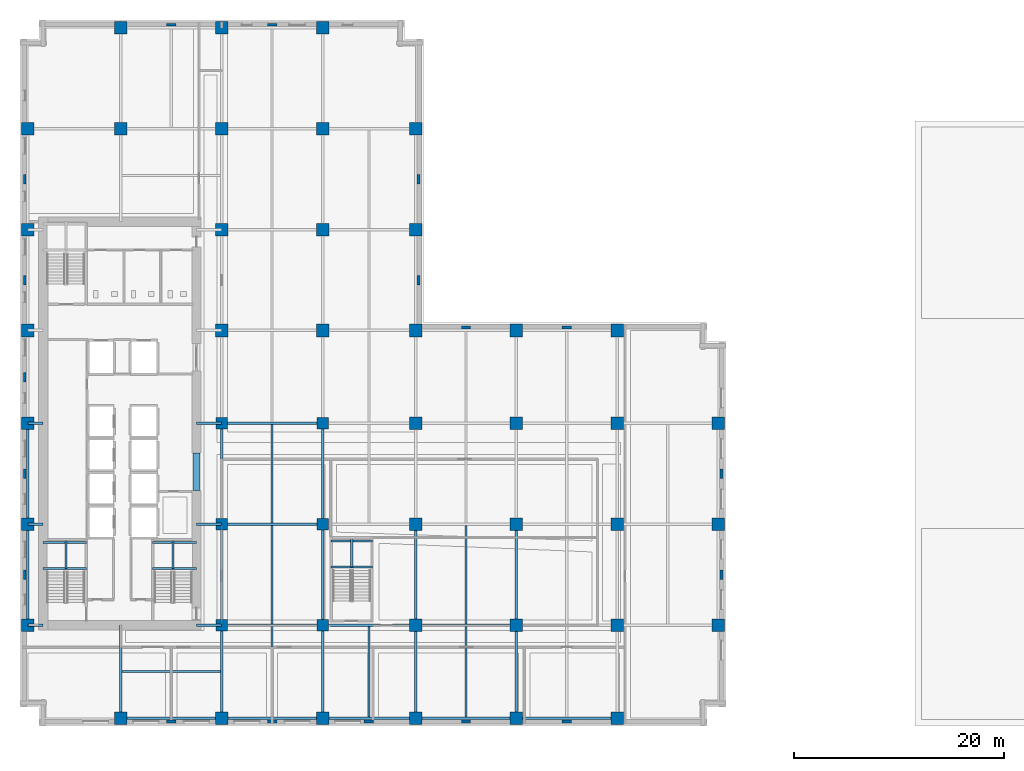
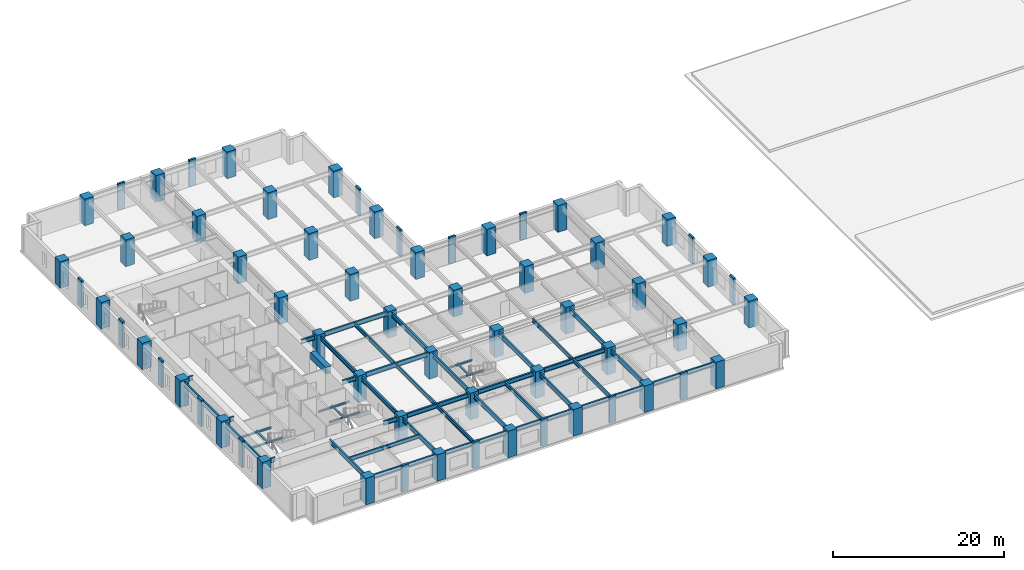
# One storey, part 1 of 14: 63 columns, 46 beams.
"""IFC4 building model written with IfcOpenShell, lengths in metres."""

from ifc_helpers import new_model, si_unit, direction, frame, origin, origin_2d, place, context, subcontext, project, spatial, rectangle, i_section, extrude, material, material_profile, profile_set, type_object, element, save


model = new_model("IFC4")

# Units and contexts
model_context = context("Model", 3, precision=1e-05, world=origin(), true_north=direction((0.0, 1.0)))
body_context = subcontext(model_context, "Body", "Model", "MODEL_VIEW")
ifc_project = project(units=[si_unit("LENGTHUNIT", "METRE"), si_unit("AREAUNIT", "SQUARE_METRE"), si_unit("VOLUMEUNIT", "CUBIC_METRE"), si_unit("PLANEANGLEUNIT", "RADIAN"), si_unit("MASSUNIT", "GRAM", prefix="KILO")], contexts=[model_context])

# Site, building, storey
site_placement = place(None, origin())
site = spatial("IfcSite", under=ifc_project, at=site_placement, CompositionType="ELEMENT")
building_placement = place(site_placement, origin())
building = spatial("IfcBuilding", under=site, at=building_placement, Name="Norrvale University Quadrangle", CompositionType="ELEMENT")
storey_placement = place(building_placement, frame((0.0, 0.0, 24.199951171875)))
storey = spatial("IfcBuildingStorey", under=building, at=storey_placement, Name="L05", CompositionType="ELEMENT", Elevation=24.199951171875)

# Columns
ifc_material_1 = material(Name="Buff Brick Concrete C60/75", Category="concrete")
ifc_material_profile_1 = material_profile(ifc_material_1, rectangle(XDim=0.89990234375, YDim=0.280029296875, at=origin_2d()), Name="Buff Brick Concrete C60/75")
ifc_profile_set_1 = profile_set([ifc_material_profile_1], Name="Buff Brick Concrete C60/75")
column_type_1 = type_object("IfcColumnType", Name="Column Buff Pier 900x280", PredefinedType="PILASTER", material=ifc_profile_set_1)
for number, where, z_axis, x_axis, name in (
    (1, (0.449951171875, 14.39990234375, 0.0), (0.0, 0.0, 1.0), (0.0, 1.0, 0.0), "Exterior Brick Facade Pilaster L05-01"),
    (2, (0.449951171875, 24.0, 0.0), (0.0, 0.0, 1.0), (0.0, 1.0, 0.0), "Exterior Brick Facade Pilaster L05-02"),
    (3, (0.449951171875, 33.199951171875, 0.0), (0.0, 0.0, 1.0), (0.0, 1.0, 0.0), "Exterior Brick Facade Pilaster L05-03"),
    (4, (0.449951171875, 42.449951171875, 0.0), (0.0, 0.0, 1.0), (0.0, 1.0, 0.0), "Exterior Brick Facade Pilaster L05-04"),
    (5, (0.449951171875, 52.050048828125, 0.0), (0.0, 0.0, 1.0), (0.0, 1.0, 0.0), "Exterior Brick Facade Pilaster L05-05"),
    (6, (14.39990234375, 0.449951171875, 0.0), (0.0, 0.0, 1.0), (1.0, 0.0, 0.0), "Exterior Brick Facade Pilaster L05-06"),
    (7, (24.0, 0.449951171875, 0.0), (0.0, 0.0, 1.0), (1.0, 0.0, 0.0), "Exterior Brick Facade Pilaster L05-07"),
    (8, (33.199951171875, 0.449951171875, 0.0), (0.0, 0.0, 1.0), (1.0, 0.0, 0.0), "Exterior Brick Facade Pilaster L05-08"),
    (9, (42.449951171875, 0.449951171875, 0.0), (0.0, 0.0, 1.0), (1.0, 0.0, 0.0), "Exterior Brick Facade Pilaster L05-09"),
    (10, (52.050048828125, 0.449951171875, 0.0), (0.0, 0.0, 1.0), (1.0, 0.0, 0.0), "Exterior Brick Facade Pilaster L05-10"),
    (11, (66.75, 14.39990234375, 0.0), (0.0, 0.0, 1.0), (0.0, 1.0, 0.0), "Exterior Brick Facade Pilaster L05-11"),
    (12, (66.75, 24.0, 0.0), (0.0, 0.0, 1.0), (0.0, 1.0, 0.0), "Exterior Brick Facade Pilaster L05-12"),
    (13, (14.39990234375, 66.75, 0.0), (0.0, 0.0, 1.0), (1.0, 0.0, 0.0), "Exterior Brick Facade Pilaster L05-13"),
    (14, (24.0, 66.75, 0.0), (0.0, 0.0, 1.0), (1.0, 0.0, 0.0), "Exterior Brick Facade Pilaster L05-14"),
    (15, (37.949951171875, 42.449951171875, 0.0), (0.0, 0.0, 1.0), (0.0, 1.0, 0.0), "Exterior Brick Facade Pilaster L05-15"),
    (16, (37.949951171875, 52.050048828125, 0.0), (0.0, 0.0, 1.0), (0.0, 1.0, 0.0), "Exterior Brick Facade Pilaster L05-16"),
    (17, (42.449951171875, 37.949951171875, 0.0), (0.0, 0.0, 1.0), (1.0, 0.0, 0.0), "Exterior Brick Facade Pilaster L05-17"),
    (18, (52.050048828125, 37.949951171875, 0.0), (0.0, 0.0, 1.0), (1.0, 0.0, 0.0), "Exterior Brick Facade Pilaster L05-18"),
):
    element("IfcColumn", number, at=place(storey_placement, frame(where, z_axis=z_axis, x_axis=x_axis)), inside=storey, type_object=column_type_1, Name=name, PredefinedType="PILASTER", context=body_context, shape_type="SweptSolid", body=[
        extrude(rectangle(XDim=0.89990234375, YDim=0.280029296875, at=origin_2d()), origin(), (0.0, 0.0, 1.0), 3.800048828125),
    ])
ifc_material_2 = material(Name="Concrete C80/95", Category="concrete")
ifc_material_profile_2 = material_profile(ifc_material_2, rectangle(XDim=1.10009765625, YDim=1.10009765625, at=origin_2d()), Name="Concrete C80/95")
ifc_profile_set_2 = profile_set([ifc_material_profile_2], Name="Concrete C80/95")
column_type_2 = type_object("IfcColumnType", Name="Column Tower Z1 1100x1100", PredefinedType="COLUMN", material=ifc_profile_set_2)
for number, where, z_axis, x_axis, name in (
    (19, (19.199951171875, 9.60009765625, 0.0), (0.0, 0.0, 1.0), (1.0, 0.0, 0.0), "Tower Column L05-T11"),
    (20, (19.199951171875, 19.199951171875, 0.0), (0.0, 0.0, 1.0), (1.0, 0.0, 0.0), "Tower Column L05-T12"),
    (21, (19.199951171875, 28.800048828125, 0.0), (0.0, 0.0, 1.0), (1.0, 0.0, 0.0), "Tower Column L05-T13"),
    (22, (28.800048828125, 9.60009765625, 0.0), (0.0, 0.0, 1.0), (1.0, 0.0, 0.0), "Tower Column L05-T19"),
    (23, (28.800048828125, 19.199951171875, 0.0), (0.0, 0.0, 1.0), (1.0, 0.0, 0.0), "Tower Column L05-T20"),
    (24, (28.800048828125, 28.800048828125, 0.0), (0.0, 0.0, 1.0), (1.0, 0.0, 0.0), "Tower Column L05-T21"),
):
    element("IfcColumn", number, at=place(storey_placement, frame(where, z_axis=z_axis, x_axis=x_axis)), inside=storey, type_object=column_type_2, Name=name, PredefinedType="COLUMN", context=body_context, shape_type="SweptSolid", body=[
        extrude(rectangle(XDim=1.10009765625, YDim=1.10009765625, at=origin_2d()), origin(), (0.0, 0.0, 1.0), 3.800048828125),
    ])
ifc_material_profile_3 = material_profile(ifc_material_2, rectangle(XDim=1.199951171875, YDim=1.199951171875, at=origin_2d()), Name="Concrete C80/95")
ifc_profile_set_3 = profile_set([ifc_material_profile_3], Name="Concrete C80/95")
column_type_3 = type_object("IfcColumnType", Name="Column Tower Z1 1200x1200", PredefinedType="COLUMN", material=ifc_profile_set_3)
for number, where, z_axis, x_axis, name in (
    (25, (0.75, 9.60009765625, 0.0), (0.0, 0.0, 1.0), (1.0, 0.0, 0.0), "Tower Column L05-T01"),
    (26, (0.75, 19.199951171875, 0.0), (0.0, 0.0, 1.0), (1.0, 0.0, 0.0), "Tower Column L05-T02"),
    (27, (0.75, 28.800048828125, 0.0), (0.0, 0.0, 1.0), (1.0, 0.0, 0.0), "Tower Column L05-T03"),
    (28, (0.75, 37.64990234375, 0.0), (0.0, 0.0, 1.0), (1.0, 0.0, 0.0), "Tower Column L05-T04"),
    (29, (0.75, 47.25, 0.0), (0.0, 0.0, 1.0), (1.0, 0.0, 0.0), "Tower Column L05-T05"),
    (30, (0.75, 56.85009765625, 0.0), (0.0, 0.0, 1.0), (1.0, 0.0, 0.0), "Tower Column L05-T06"),
    (31, (9.60009765625, 0.75, 0.0), (0.0, 0.0, 1.0), (1.0, 0.0, 0.0), "Tower Column L05-T07"),
    (32, (9.60009765625, 56.85009765625, 0.0), (0.0, 0.0, 1.0), (1.0, 0.0, 0.0), "Tower Column L05-T08"),
    (33, (9.60009765625, 66.449951171875, 0.0), (0.0, 0.0, 1.0), (1.0, 0.0, 0.0), "Tower Column L05-T09"),
    (34, (19.199951171875, 0.75, 0.0), (0.0, 0.0, 1.0), (1.0, 0.0, 0.0), "Tower Column L05-T10"),
    (35, (19.199951171875, 37.64990234375, 0.0), (0.0, 0.0, 1.0), (1.0, 0.0, 0.0), "Tower Column L05-T14"),
    (36, (19.199951171875, 47.25, 0.0), (0.0, 0.0, 1.0), (1.0, 0.0, 0.0), "Tower Column L05-T15"),
    (37, (19.199951171875, 56.85009765625, 0.0), (0.0, 0.0, 1.0), (1.0, 0.0, 0.0), "Tower Column L05-T16"),
    (38, (19.199951171875, 66.449951171875, 0.0), (0.0, 0.0, 1.0), (1.0, 0.0, 0.0), "Tower Column L05-T17"),
    (39, (28.800048828125, 0.75, 0.0), (0.0, 0.0, 1.0), (1.0, 0.0, 0.0), "Tower Column L05-T18"),
    (40, (28.800048828125, 37.64990234375, 0.0), (0.0, 0.0, 1.0), (1.0, 0.0, 0.0), "Tower Column L05-T22"),
    (41, (28.800048828125, 47.25, 0.0), (0.0, 0.0, 1.0), (1.0, 0.0, 0.0), "Tower Column L05-T23"),
    (42, (28.800048828125, 56.85009765625, 0.0), (0.0, 0.0, 1.0), (1.0, 0.0, 0.0), "Tower Column L05-T24"),
    (43, (28.800048828125, 66.449951171875, 0.0), (0.0, 0.0, 1.0), (1.0, 0.0, 0.0), "Tower Column L05-T25"),
    (44, (37.64990234375, 0.75, 0.0), (0.0, 0.0, 1.0), (1.0, 0.0, 0.0), "Tower Column L05-T26"),
    (45, (37.64990234375, 9.60009765625, 0.0), (0.0, 0.0, 1.0), (1.0, 0.0, 0.0), "Tower Column L05-T27"),
    (46, (37.64990234375, 19.199951171875, 0.0), (0.0, 0.0, 1.0), (1.0, 0.0, 0.0), "Tower Column L05-T28"),
    (47, (37.64990234375, 28.800048828125, 0.0), (0.0, 0.0, 1.0), (1.0, 0.0, 0.0), "Tower Column L05-T29"),
    (48, (37.64990234375, 37.64990234375, 0.0), (0.0, 0.0, 1.0), (1.0, 0.0, 0.0), "Tower Column L05-T30"),
    (49, (37.64990234375, 47.25, 0.0), (0.0, 0.0, 1.0), (1.0, 0.0, 0.0), "Tower Column L05-T31"),
    (50, (37.64990234375, 56.85009765625, 0.0), (0.0, 0.0, 1.0), (1.0, 0.0, 0.0), "Tower Column L05-T32"),
    (51, (47.25, 0.75, 0.0), (0.0, 0.0, 1.0), (1.0, 0.0, 0.0), "Tower Column L05-T33"),
    (52, (47.25, 9.60009765625, 0.0), (0.0, 0.0, 1.0), (1.0, 0.0, 0.0), "Tower Column L05-T34"),
    (53, (47.25, 19.199951171875, 0.0), (0.0, 0.0, 1.0), (1.0, 0.0, 0.0), "Tower Column L05-T35"),
    (54, (47.25, 28.800048828125, 0.0), (0.0, 0.0, 1.0), (1.0, 0.0, 0.0), "Tower Column L05-T36"),
    (55, (47.25, 37.64990234375, 0.0), (0.0, 0.0, 1.0), (1.0, 0.0, 0.0), "Tower Column L05-T37"),
    (56, (56.85009765625, 0.75, 0.0), (0.0, 0.0, 1.0), (1.0, 0.0, 0.0), "Tower Column L05-T38"),
    (57, (56.85009765625, 9.60009765625, 0.0), (0.0, 0.0, 1.0), (1.0, 0.0, 0.0), "Tower Column L05-T39"),
    (58, (56.85009765625, 19.199951171875, 0.0), (0.0, 0.0, 1.0), (1.0, 0.0, 0.0), "Tower Column L05-T40"),
    (59, (56.85009765625, 28.800048828125, 0.0), (0.0, 0.0, 1.0), (1.0, 0.0, 0.0), "Tower Column L05-T41"),
    (60, (56.85009765625, 37.64990234375, 0.0), (0.0, 0.0, 1.0), (1.0, 0.0, 0.0), "Tower Column L05-T42"),
    (61, (66.449951171875, 9.60009765625, 0.0), (0.0, 0.0, 1.0), (1.0, 0.0, 0.0), "Tower Column L05-T43"),
    (62, (66.449951171875, 19.199951171875, 0.0), (0.0, 0.0, 1.0), (1.0, 0.0, 0.0), "Tower Column L05-T44"),
    (63, (66.449951171875, 28.800048828125, 0.0), (0.0, 0.0, 1.0), (1.0, 0.0, 0.0), "Tower Column L05-T45"),
):
    element("IfcColumn", number, at=place(storey_placement, frame(where, z_axis=z_axis, x_axis=x_axis)), inside=storey, type_object=column_type_3, Name=name, PredefinedType="COLUMN", context=body_context, shape_type="SweptSolid", body=[
        extrude(rectangle(XDim=1.199951171875, YDim=1.199951171875, at=origin_2d()), origin(), (0.0, 0.0, 1.0), 3.800048828125),
    ])

# Beams
ifc_material_profile_4 = material_profile(ifc_material_2, rectangle(XDim=0.699951171875, YDim=0.949951171875, at=origin_2d()), Name="Concrete C80/95")
ifc_profile_set_4 = profile_set([ifc_material_profile_4], Name="Concrete C80/95")
beam_type_1 = type_object("IfcBeamType", Name="Beam Core Link 700x950", PredefinedType="LINTEL", material=ifc_profile_set_4)
beam_1_placement = place(storey_placement, frame((16.800048828125, 22.39990234375, 3.06494140625), z_axis=(0.0, 1.0, 0.0), x_axis=(-1.0, 0.0, 0.0)))
element("IfcBeam", 64, at=beam_1_placement, inside=storey, type_object=beam_type_1, Name="Core Coupling Lintel Beam L05-1", PredefinedType="LINTEL", context=body_context, shape_type="SweptSolid", body=[
    extrude(rectangle(XDim=0.699951171875, YDim=0.949951171875, at=origin_2d()), origin(), (0.0, 0.0, 1.0), 3.60009765625),
])
ifc_material_3 = material(Name="Steel 350W", Category="steel")
ifc_material_profile_5 = material_profile(ifc_material_3, i_section(OverallWidth=0.208984375, OverallDepth=0.532958984375, WebThickness=0.01025390625, FlangeThickness=0.015625, FilletRadius=0.013916015625, at=origin_2d()), Name="Steel 350W")
ifc_profile_set_5 = profile_set([ifc_material_profile_5], Name="Steel 350W")
beam_type_2 = type_object("IfcBeamType", Name="Beam Floor W530x92", PredefinedType="JOIST", material=ifc_profile_set_5)
beam_2_placement = place(storey_placement, frame((24.0, 0.864990234375, 3.2734375), z_axis=(0.0, 1.0, 0.0), x_axis=(-1.0, 0.0, 0.0)))
element("IfcBeam", 65, at=beam_2_placement, inside=storey, type_object=beam_type_2, Name="Beam Floor W530x92 BM-L05-J080", PredefinedType="JOIST", context=body_context, shape_type="SweptSolid", body=[
    extrude(i_section(OverallWidth=0.208984375, OverallDepth=0.532958984375, WebThickness=0.01025390625, FlangeThickness=0.015625, FilletRadius=0.013916015625, at=origin_2d()), origin(), (0.0, 0.0, 1.0), 8.6201171875),
])
beam_3_placement = place(storey_placement, frame((24.0, 9.715087890625, 3.2734375), z_axis=(0.0, 1.0, 0.0), x_axis=(-1.0, 0.0, 0.0)))
element("IfcBeam", 66, at=beam_3_placement, inside=storey, type_object=beam_type_2, Name="Beam Floor W530x92 BM-L05-J081", PredefinedType="JOIST", context=body_context, shape_type="SweptSolid", body=[
    extrude(i_section(OverallWidth=0.208984375, OverallDepth=0.532958984375, WebThickness=0.01025390625, FlangeThickness=0.015625, FilletRadius=0.013916015625, at=origin_2d()), origin(), (0.0, 0.0, 1.0), 9.369873046875),
])
beam_4_placement = place(storey_placement, frame((24.0, 19.31494140625, 3.2734375), z_axis=(0.0, 1.0, 0.0), x_axis=(-1.0, 0.0, 0.0)))
element("IfcBeam", 67, at=beam_4_placement, inside=storey, type_object=beam_type_2, Name="Beam Floor W530x92 BM-L05-J082", PredefinedType="JOIST", context=body_context, shape_type="SweptSolid", body=[
    extrude(i_section(OverallWidth=0.208984375, OverallDepth=0.532958984375, WebThickness=0.01025390625, FlangeThickness=0.015625, FilletRadius=0.013916015625, at=origin_2d()), origin(), (0.0, 0.0, 1.0), 9.3701171875),
])
for number, where, z_axis, x_axis, name in (
    (68, (33.22509765625, 0.864990234375, 3.2734375), (0.0, 1.0, 0.0), (-1.0, 0.0, 0.0), "Beam Floor W530x92 BM-L05-J087"),
    (69, (42.449951171875, 0.864990234375, 3.2734375), (0.0, 1.0, 0.0), (-1.0, 0.0, 0.0), "Beam Floor W530x92 BM-L05-J092"),
):
    element("IfcBeam", number, at=place(storey_placement, frame(where, z_axis=z_axis, x_axis=x_axis)), inside=storey, type_object=beam_type_2, Name=name, PredefinedType="JOIST", context=body_context, shape_type="SweptSolid", body=[
        extrude(i_section(OverallWidth=0.208984375, OverallDepth=0.532958984375, WebThickness=0.01025390625, FlangeThickness=0.015625, FilletRadius=0.013916015625, at=origin_2d()), origin(), (0.0, 0.0, 1.0), 8.6201171875),
    ])
for number, where, z_axis, x_axis, name in (
    (70, (42.449951171875, 9.715087890625, 3.2734375), (0.0, 1.0, 0.0), (-1.0, 0.0, 0.0), "Beam Floor W530x92 BM-L05-J093"),
    (71, (9.715087890625, 5.199951171875, 3.2734375), (1.0, 0.0, 0.0), (0.0, 1.0, 0.0), "Beam Floor W530x92 BM-L05-JCS103"),
):
    element("IfcBeam", number, at=place(storey_placement, frame(where, z_axis=z_axis, x_axis=x_axis)), inside=storey, type_object=beam_type_2, Name=name, PredefinedType="JOIST", context=body_context, shape_type="SweptSolid", body=[
        extrude(i_section(OverallWidth=0.208984375, OverallDepth=0.532958984375, WebThickness=0.01025390625, FlangeThickness=0.015625, FilletRadius=0.013916015625, at=origin_2d()), origin(), (0.0, 0.0, 1.0), 9.369873046875),
    ])
ifc_material_profile_6 = material_profile(ifc_material_3, i_section(OverallWidth=0.22998046875, OverallDepth=0.616943359375, WebThickness=0.01318359375, FlangeThickness=0.022216796875, FilletRadius=0.01611328125, at=origin_2d()), Name="Steel 350W")
ifc_profile_set_6 = profile_set([ifc_material_profile_6], Name="Steel 350W")
beam_type_3 = type_object("IfcBeamType", Name="Beam Floor W610x140", PredefinedType="BEAM", material=ifc_profile_set_6)
beam_5_placement = place(storey_placement, frame((9.60009765625, 0.75, 3.2314453125), z_axis=(1.0, 0.0, 0.0), x_axis=(0.0, 1.0, 0.0)))
element("IfcBeam", 72, at=beam_5_placement, inside=storey, type_object=beam_type_3, Name="Beam Floor W610x140 BM-L05-GX001", PredefinedType="BEAM", context=body_context, shape_type="SweptSolid", body=[
    extrude(i_section(OverallWidth=0.22998046875, OverallDepth=0.616943359375, WebThickness=0.01318359375, FlangeThickness=0.022216796875, FilletRadius=0.01611328125, at=origin_2d()), origin(), (0.0, 0.0, 1.0), 9.599853515625),
])
beam_6_placement = place(storey_placement, frame((19.199951171875, 0.75, 3.2314453125), z_axis=(1.0, 0.0, 0.0), x_axis=(0.0, 1.0, 0.0)))
element("IfcBeam", 73, at=beam_6_placement, inside=storey, type_object=beam_type_3, Name="Beam Floor W610x140 BM-L05-GX002", PredefinedType="BEAM", context=body_context, shape_type="SweptSolid", body=[
    extrude(i_section(OverallWidth=0.22998046875, OverallDepth=0.616943359375, WebThickness=0.01318359375, FlangeThickness=0.022216796875, FilletRadius=0.01611328125, at=origin_2d()), origin(), (0.0, 0.0, 1.0), 9.60009765625),
])
beam_7_placement = place(storey_placement, frame((28.800048828125, 0.75, 3.2314453125), z_axis=(1.0, 0.0, 0.0), x_axis=(0.0, 1.0, 0.0)))
element("IfcBeam", 74, at=beam_7_placement, inside=storey, type_object=beam_type_3, Name="Beam Floor W610x140 BM-L05-GX003", PredefinedType="BEAM", context=body_context, shape_type="SweptSolid", body=[
    extrude(i_section(OverallWidth=0.22998046875, OverallDepth=0.616943359375, WebThickness=0.01318359375, FlangeThickness=0.022216796875, FilletRadius=0.01611328125, at=origin_2d()), origin(), (0.0, 0.0, 1.0), 8.849853515625),
])
for number, where, z_axis, x_axis, name in (
    (75, (37.64990234375, 0.75, 3.2314453125), (1.0, 0.0, 0.0), (0.0, 1.0, 0.0), "Beam Floor W610x140 BM-L05-GX004"),
    (76, (47.25, 0.75, 3.2314453125), (1.0, 0.0, 0.0), (0.0, 1.0, 0.0), "Beam Floor W610x140 BM-L05-GX005"),
    (77, (19.199951171875, 9.60009765625, 3.2314453125), (1.0, 0.0, 0.0), (0.0, 1.0, 0.0), "Beam Floor W610x140 BM-L05-GX006"),
):
    element("IfcBeam", number, at=place(storey_placement, frame(where, z_axis=z_axis, x_axis=x_axis)), inside=storey, type_object=beam_type_3, Name=name, PredefinedType="BEAM", context=body_context, shape_type="SweptSolid", body=[
        extrude(i_section(OverallWidth=0.22998046875, OverallDepth=0.616943359375, WebThickness=0.01318359375, FlangeThickness=0.022216796875, FilletRadius=0.01611328125, at=origin_2d()), origin(), (0.0, 0.0, 1.0), 9.60009765625),
    ])
beam_8_placement = place(storey_placement, frame((28.800048828125, 9.60009765625, 3.2314453125), z_axis=(1.0, 0.0, 0.0), x_axis=(0.0, 1.0, 0.0)))
element("IfcBeam", 78, at=beam_8_placement, inside=storey, type_object=beam_type_3, Name="Beam Floor W610x140 BM-L05-GX007", PredefinedType="BEAM", context=body_context, shape_type="SweptSolid", body=[
    extrude(i_section(OverallWidth=0.22998046875, OverallDepth=0.616943359375, WebThickness=0.01318359375, FlangeThickness=0.022216796875, FilletRadius=0.01611328125, at=origin_2d()), origin(), (0.0, 0.0, 1.0), 8.849853515625),
])
for number, where, z_axis, x_axis, name in (
    (79, (37.64990234375, 9.60009765625, 3.2314453125), (1.0, 0.0, 0.0), (0.0, 1.0, 0.0), "Beam Floor W610x140 BM-L05-GX008"),
    (80, (19.199951171875, 19.199951171875, 3.2314453125), (1.0, 0.0, 0.0), (0.0, 1.0, 0.0), "Beam Floor W610x140 BM-L05-GX011"),
    (81, (19.199951171875, 28.800048828125, 3.2314453125), (1.0, 0.0, 0.0), (0.0, 1.0, 0.0), "Beam Floor W610x140 BM-L05-GX016"),
):
    element("IfcBeam", number, at=place(storey_placement, frame(where, z_axis=z_axis, x_axis=x_axis)), inside=storey, type_object=beam_type_3, Name=name, PredefinedType="BEAM", context=body_context, shape_type="SweptSolid", body=[
        extrude(i_section(OverallWidth=0.22998046875, OverallDepth=0.616943359375, WebThickness=0.01318359375, FlangeThickness=0.022216796875, FilletRadius=0.01611328125, at=origin_2d()), origin(), (0.0, 0.0, 1.0), 9.60009765625),
    ])
beam_9_placement = place(storey_placement, frame((0.75, 9.60009765625, 3.2314453125), z_axis=(0.0, 1.0, 0.0), x_axis=(-1.0, 0.0, 0.0)))
element("IfcBeam", 82, at=beam_9_placement, inside=storey, type_object=beam_type_3, Name="Beam Floor W610x140 BM-L05-GY033", PredefinedType="BEAM", context=body_context, shape_type="SweptSolid", body=[
    extrude(i_section(OverallWidth=0.22998046875, OverallDepth=0.616943359375, WebThickness=0.01318359375, FlangeThickness=0.022216796875, FilletRadius=0.01611328125, at=origin_2d()), origin(), (0.0, 0.0, 1.0), 9.599853515625),
])
beam_10_placement = place(storey_placement, frame((0.75, 19.199951171875, 3.2314453125), z_axis=(0.0, 1.0, 0.0), x_axis=(-1.0, 0.0, 0.0)))
element("IfcBeam", 83, at=beam_10_placement, inside=storey, type_object=beam_type_3, Name="Beam Floor W610x140 BM-L05-GY034", PredefinedType="BEAM", context=body_context, shape_type="SweptSolid", body=[
    extrude(i_section(OverallWidth=0.22998046875, OverallDepth=0.616943359375, WebThickness=0.01318359375, FlangeThickness=0.022216796875, FilletRadius=0.01611328125, at=origin_2d()), origin(), (0.0, 0.0, 1.0), 9.60009765625),
])
beam_11_placement = place(storey_placement, frame((19.199951171875, 0.75, 3.2314453125), z_axis=(0.0, 1.0, 0.0), x_axis=(-1.0, 0.0, 0.0)))
element("IfcBeam", 84, at=beam_11_placement, inside=storey, type_object=beam_type_3, Name="Beam Floor W610x140 BM-L05-GY039", PredefinedType="BEAM", context=body_context, shape_type="SweptSolid", body=[
    extrude(i_section(OverallWidth=0.22998046875, OverallDepth=0.616943359375, WebThickness=0.01318359375, FlangeThickness=0.022216796875, FilletRadius=0.01611328125, at=origin_2d()), origin(), (0.0, 0.0, 1.0), 8.85009765625),
])
beam_12_placement = place(storey_placement, frame((19.199951171875, 9.60009765625, 3.2314453125), z_axis=(0.0, 1.0, 0.0), x_axis=(-1.0, 0.0, 0.0)))
element("IfcBeam", 85, at=beam_12_placement, inside=storey, type_object=beam_type_3, Name="Beam Floor W610x140 BM-L05-GY040", PredefinedType="BEAM", context=body_context, shape_type="SweptSolid", body=[
    extrude(i_section(OverallWidth=0.22998046875, OverallDepth=0.616943359375, WebThickness=0.01318359375, FlangeThickness=0.022216796875, FilletRadius=0.01611328125, at=origin_2d()), origin(), (0.0, 0.0, 1.0), 9.599853515625),
])
beam_13_placement = place(storey_placement, frame((19.199951171875, 19.199951171875, 3.2314453125), z_axis=(0.0, 1.0, 0.0), x_axis=(-1.0, 0.0, 0.0)))
element("IfcBeam", 86, at=beam_13_placement, inside=storey, type_object=beam_type_3, Name="Beam Floor W610x140 BM-L05-GY041", PredefinedType="BEAM", context=body_context, shape_type="SweptSolid", body=[
    extrude(i_section(OverallWidth=0.22998046875, OverallDepth=0.616943359375, WebThickness=0.01318359375, FlangeThickness=0.022216796875, FilletRadius=0.01611328125, at=origin_2d()), origin(), (0.0, 0.0, 1.0), 9.60009765625),
])
beam_14_placement = place(storey_placement, frame((28.800048828125, 0.75, 3.2314453125), z_axis=(0.0, 1.0, 0.0), x_axis=(-1.0, 0.0, 0.0)))
element("IfcBeam", 87, at=beam_14_placement, inside=storey, type_object=beam_type_3, Name="Beam Floor W610x140 BM-L05-GY046", PredefinedType="BEAM", context=body_context, shape_type="SweptSolid", body=[
    extrude(i_section(OverallWidth=0.22998046875, OverallDepth=0.616943359375, WebThickness=0.01318359375, FlangeThickness=0.022216796875, FilletRadius=0.01611328125, at=origin_2d()), origin(), (0.0, 0.0, 1.0), 8.85009765625),
])
beam_15_placement = place(storey_placement, frame((28.800048828125, 9.60009765625, 3.2314453125), z_axis=(0.0, 1.0, 0.0), x_axis=(-1.0, 0.0, 0.0)))
element("IfcBeam", 88, at=beam_15_placement, inside=storey, type_object=beam_type_3, Name="Beam Floor W610x140 BM-L05-GY047", PredefinedType="BEAM", context=body_context, shape_type="SweptSolid", body=[
    extrude(i_section(OverallWidth=0.22998046875, OverallDepth=0.616943359375, WebThickness=0.01318359375, FlangeThickness=0.022216796875, FilletRadius=0.01611328125, at=origin_2d()), origin(), (0.0, 0.0, 1.0), 9.599853515625),
])
beam_16_placement = place(storey_placement, frame((28.800048828125, 19.199951171875, 3.2314453125), z_axis=(0.0, 1.0, 0.0), x_axis=(-1.0, 0.0, 0.0)))
element("IfcBeam", 89, at=beam_16_placement, inside=storey, type_object=beam_type_3, Name="Beam Floor W610x140 BM-L05-GY048", PredefinedType="BEAM", context=body_context, shape_type="SweptSolid", body=[
    extrude(i_section(OverallWidth=0.22998046875, OverallDepth=0.616943359375, WebThickness=0.01318359375, FlangeThickness=0.022216796875, FilletRadius=0.01611328125, at=origin_2d()), origin(), (0.0, 0.0, 1.0), 9.60009765625),
])
beam_17_placement = place(storey_placement, frame((37.64990234375, 0.75, 3.2314453125), z_axis=(0.0, 1.0, 0.0), x_axis=(-1.0, 0.0, 0.0)))
element("IfcBeam", 90, at=beam_17_placement, inside=storey, type_object=beam_type_3, Name="Beam Floor W610x140 BM-L05-GY053", PredefinedType="BEAM", context=body_context, shape_type="SweptSolid", body=[
    extrude(i_section(OverallWidth=0.22998046875, OverallDepth=0.616943359375, WebThickness=0.01318359375, FlangeThickness=0.022216796875, FilletRadius=0.01611328125, at=origin_2d()), origin(), (0.0, 0.0, 1.0), 8.85009765625),
])
beam_18_placement = place(storey_placement, frame((37.64990234375, 9.60009765625, 3.2314453125), z_axis=(0.0, 1.0, 0.0), x_axis=(-1.0, 0.0, 0.0)))
element("IfcBeam", 91, at=beam_18_placement, inside=storey, type_object=beam_type_3, Name="Beam Floor W610x140 BM-L05-GY054", PredefinedType="BEAM", context=body_context, shape_type="SweptSolid", body=[
    extrude(i_section(OverallWidth=0.22998046875, OverallDepth=0.616943359375, WebThickness=0.01318359375, FlangeThickness=0.022216796875, FilletRadius=0.01611328125, at=origin_2d()), origin(), (0.0, 0.0, 1.0), 9.599853515625),
])
beam_19_placement = place(storey_placement, frame((47.25, 0.75, 3.2314453125), z_axis=(0.0, 1.0, 0.0), x_axis=(-1.0, 0.0, 0.0)))
element("IfcBeam", 92, at=beam_19_placement, inside=storey, type_object=beam_type_3, Name="Beam Floor W610x140 BM-L05-GY059", PredefinedType="BEAM", context=body_context, shape_type="SweptSolid", body=[
    extrude(i_section(OverallWidth=0.22998046875, OverallDepth=0.616943359375, WebThickness=0.01318359375, FlangeThickness=0.022216796875, FilletRadius=0.01611328125, at=origin_2d()), origin(), (0.0, 0.0, 1.0), 8.85009765625),
])
beam_20_placement = place(storey_placement, frame((47.25, 9.60009765625, 3.2314453125), z_axis=(0.0, 1.0, 0.0), x_axis=(-1.0, 0.0, 0.0)))
element("IfcBeam", 93, at=beam_20_placement, inside=storey, type_object=beam_type_3, Name="Beam Floor W610x140 BM-L05-GY060", PredefinedType="BEAM", context=body_context, shape_type="SweptSolid", body=[
    extrude(i_section(OverallWidth=0.22998046875, OverallDepth=0.616943359375, WebThickness=0.01318359375, FlangeThickness=0.022216796875, FilletRadius=0.01611328125, at=origin_2d()), origin(), (0.0, 0.0, 1.0), 9.599853515625),
])
beam_21_placement = place(storey_placement, frame((0.75, 9.60009765625, 3.2314453125), z_axis=(1.0, 0.0, 0.0), x_axis=(0.0, 1.0, 0.0)))
element("IfcBeam", 94, at=beam_21_placement, inside=storey, type_object=beam_type_3, Name="Beam Floor W610x140 BM-L05-GCW069", PredefinedType="BEAM", context=body_context, shape_type="SweptSolid", body=[
    extrude(i_section(OverallWidth=0.22998046875, OverallDepth=0.616943359375, WebThickness=0.01318359375, FlangeThickness=0.022216796875, FilletRadius=0.01611328125, at=origin_2d()), origin(), (0.0, 0.0, 1.0), 1.449951171875),
])
beam_22_placement = place(storey_placement, frame((16.800048828125, 9.60009765625, 3.2314453125), z_axis=(1.0, 0.0, 0.0), x_axis=(0.0, 1.0, 0.0)))
element("IfcBeam", 95, at=beam_22_placement, inside=storey, type_object=beam_type_3, Name="Beam Floor W610x140 BM-L05-GCE070", PredefinedType="BEAM", context=body_context, shape_type="SweptSolid", body=[
    extrude(i_section(OverallWidth=0.22998046875, OverallDepth=0.616943359375, WebThickness=0.01318359375, FlangeThickness=0.022216796875, FilletRadius=0.01611328125, at=origin_2d()), origin(), (0.0, 0.0, 1.0), 2.39990234375),
])
beam_23_placement = place(storey_placement, frame((0.75, 19.199951171875, 3.2314453125), z_axis=(1.0, 0.0, 0.0), x_axis=(0.0, 1.0, 0.0)))
element("IfcBeam", 96, at=beam_23_placement, inside=storey, type_object=beam_type_3, Name="Beam Floor W610x140 BM-L05-GCW071", PredefinedType="BEAM", context=body_context, shape_type="SweptSolid", body=[
    extrude(i_section(OverallWidth=0.22998046875, OverallDepth=0.616943359375, WebThickness=0.01318359375, FlangeThickness=0.022216796875, FilletRadius=0.01611328125, at=origin_2d()), origin(), (0.0, 0.0, 1.0), 1.449951171875),
])
beam_24_placement = place(storey_placement, frame((16.800048828125, 19.199951171875, 3.2314453125), z_axis=(1.0, 0.0, 0.0), x_axis=(0.0, 1.0, 0.0)))
element("IfcBeam", 97, at=beam_24_placement, inside=storey, type_object=beam_type_3, Name="Beam Floor W610x140 BM-L05-GCE072", PredefinedType="BEAM", context=body_context, shape_type="SweptSolid", body=[
    extrude(i_section(OverallWidth=0.22998046875, OverallDepth=0.616943359375, WebThickness=0.01318359375, FlangeThickness=0.022216796875, FilletRadius=0.01611328125, at=origin_2d()), origin(), (0.0, 0.0, 1.0), 2.39990234375),
])
beam_25_placement = place(storey_placement, frame((0.75, 28.800048828125, 3.2314453125), z_axis=(1.0, 0.0, 0.0), x_axis=(0.0, 1.0, 0.0)))
element("IfcBeam", 98, at=beam_25_placement, inside=storey, type_object=beam_type_3, Name="Beam Floor W610x140 BM-L05-GCW073", PredefinedType="BEAM", context=body_context, shape_type="SweptSolid", body=[
    extrude(i_section(OverallWidth=0.22998046875, OverallDepth=0.616943359375, WebThickness=0.01318359375, FlangeThickness=0.022216796875, FilletRadius=0.01611328125, at=origin_2d()), origin(), (0.0, 0.0, 1.0), 1.449951171875),
])
beam_26_placement = place(storey_placement, frame((16.800048828125, 28.800048828125, 3.2314453125), z_axis=(1.0, 0.0, 0.0), x_axis=(0.0, 1.0, 0.0)))
element("IfcBeam", 99, at=beam_26_placement, inside=storey, type_object=beam_type_3, Name="Beam Floor W610x140 BM-L05-GCE074", PredefinedType="BEAM", context=body_context, shape_type="SweptSolid", body=[
    extrude(i_section(OverallWidth=0.22998046875, OverallDepth=0.616943359375, WebThickness=0.01318359375, FlangeThickness=0.022216796875, FilletRadius=0.01611328125, at=origin_2d()), origin(), (0.0, 0.0, 1.0), 2.39990234375),
])
beam_27_placement = place(storey_placement, frame((9.60009765625, 0.75, 3.2314453125), z_axis=(0.0, 1.0, 0.0), x_axis=(-1.0, 0.0, 0.0)))
element("IfcBeam", 100, at=beam_27_placement, inside=storey, type_object=beam_type_3, Name="Beam Floor W610x140 BM-L05-GCS102", PredefinedType="BEAM", context=body_context, shape_type="SweptSolid", body=[
    extrude(i_section(OverallWidth=0.22998046875, OverallDepth=0.616943359375, WebThickness=0.01318359375, FlangeThickness=0.022216796875, FilletRadius=0.01611328125, at=origin_2d()), origin(), (0.0, 0.0, 1.0), 8.85009765625),
])
ifc_material_profile_7 = material_profile(ifc_material_3, i_section(OverallWidth=0.201904296875, OverallDepth=0.2470703125, WebThickness=0.00732421875, FlangeThickness=0.010986328125, FilletRadius=0.011962890625, at=origin_2d()), Name="Steel 350W")
ifc_profile_set_7 = profile_set([ifc_material_profile_7], Name="Steel 350W")
beam_type_4 = type_object("IfcBeamType", Name="Beam Stair W250x49", PredefinedType="BEAM", material=ifc_profile_set_7)
for number, where, z_axis, x_axis, name in (
    (101, (2.199951171875, 14.989990234375, 1.57666015625), (1.0, 0.0, 0.0), (0.0, 1.0, 0.0), "Stair Mid-Landing Front Beam ST-01 L05"),
    (102, (2.199951171875, 17.469970703125, 1.57666015625), (1.0, 0.0, 0.0), (0.0, 1.0, 0.0), "Stair Mid-Landing Rear Beam ST-01 L05"),
):
    element("IfcBeam", number, at=place(storey_placement, frame(where, z_axis=z_axis, x_axis=x_axis)), inside=storey, type_object=beam_type_4, Name=name, PredefinedType="BEAM", context=body_context, shape_type="SweptSolid", body=[
        extrude(i_section(OverallWidth=0.201904296875, OverallDepth=0.2470703125, WebThickness=0.00732421875, FlangeThickness=0.010986328125, FilletRadius=0.011962890625, at=origin_2d()), origin(), (0.0, 0.0, 1.0), 4.14013671875),
    ])
for number, where, z_axis, x_axis, name in (
    (103, (12.610107421875, 14.989990234375, 1.57666015625), (1.0, 0.0, 0.0), (0.0, 1.0, 0.0), "Stair Mid-Landing Front Beam ST-03 L05"),
    (104, (12.610107421875, 17.469970703125, 1.57666015625), (1.0, 0.0, 0.0), (0.0, 1.0, 0.0), "Stair Mid-Landing Rear Beam ST-03 L05"),
):
    element("IfcBeam", number, at=place(storey_placement, frame(where, z_axis=z_axis, x_axis=x_axis)), inside=storey, type_object=beam_type_4, Name=name, PredefinedType="BEAM", context=body_context, shape_type="SweptSolid", body=[
        extrude(i_section(OverallWidth=0.201904296875, OverallDepth=0.2470703125, WebThickness=0.00732421875, FlangeThickness=0.010986328125, FilletRadius=0.011962890625, at=origin_2d()), origin(), (0.0, 0.0, 1.0), 4.18994140625),
    ])
for number, where, z_axis, x_axis, name in (
    (105, (29.610107421875, 15.139892578125, 1.57666015625), (1.0, 0.0, 0.0), (0.0, 1.0, 0.0), "Stair Mid-Landing Front Beam ST-04 L05"),
    (106, (29.610107421875, 17.6201171875, 1.57666015625), (1.0, 0.0, 0.0), (0.0, 1.0, 0.0), "Stair Mid-Landing Rear Beam ST-04 L05"),
):
    element("IfcBeam", number, at=place(storey_placement, frame(where, z_axis=z_axis, x_axis=x_axis)), inside=storey, type_object=beam_type_4, Name=name, PredefinedType="BEAM", context=body_context, shape_type="SweptSolid", body=[
        extrude(i_section(OverallWidth=0.201904296875, OverallDepth=0.2470703125, WebThickness=0.00732421875, FlangeThickness=0.010986328125, FilletRadius=0.011962890625, at=origin_2d()), origin(), (0.0, 0.0, 1.0), 3.929931640625),
    ])
ifc_material_profile_8 = material_profile(ifc_material_3, i_section(OverallWidth=0.202880859375, OverallDepth=0.202880859375, WebThickness=0.007080078125, FlangeThickness=0.010986328125, FilletRadius=0.010009765625, at=origin_2d()), Name="Steel 350W")
ifc_profile_set_8 = profile_set([ifc_material_profile_8], Name="Steel 350W")
beam_type_5 = type_object("IfcBeamType", Name="Beam Trim W200x46", PredefinedType="BEAM", material=ifc_profile_set_8)
for number, where, z_axis, x_axis, name in (
    (107, (4.375, 14.989990234375, 1.5986328125), (0.0, 1.0, 0.0), (-1.0, 0.0, 0.0), "Stair Mid-Landing Cross Beam ST-01 L05"),
    (108, (14.574951171875, 14.989990234375, 1.5986328125), (0.0, 1.0, 0.0), (-1.0, 0.0, 0.0), "Stair Mid-Landing Cross Beam ST-03 L05"),
    (109, (31.574951171875, 15.139892578125, 1.5986328125), (0.0, 1.0, 0.0), (-1.0, 0.0, 0.0), "Stair Mid-Landing Cross Beam ST-04 L05"),
):
    element("IfcBeam", number, at=place(storey_placement, frame(where, z_axis=z_axis, x_axis=x_axis)), inside=storey, type_object=beam_type_5, Name=name, PredefinedType="BEAM", context=body_context, shape_type="SweptSolid", body=[
        extrude(i_section(OverallWidth=0.202880859375, OverallDepth=0.202880859375, WebThickness=0.007080078125, FlangeThickness=0.010986328125, FilletRadius=0.010009765625, at=origin_2d()), origin(), (0.0, 0.0, 1.0), 2.800048828125),
    ])

save(model, "model.ifc")
